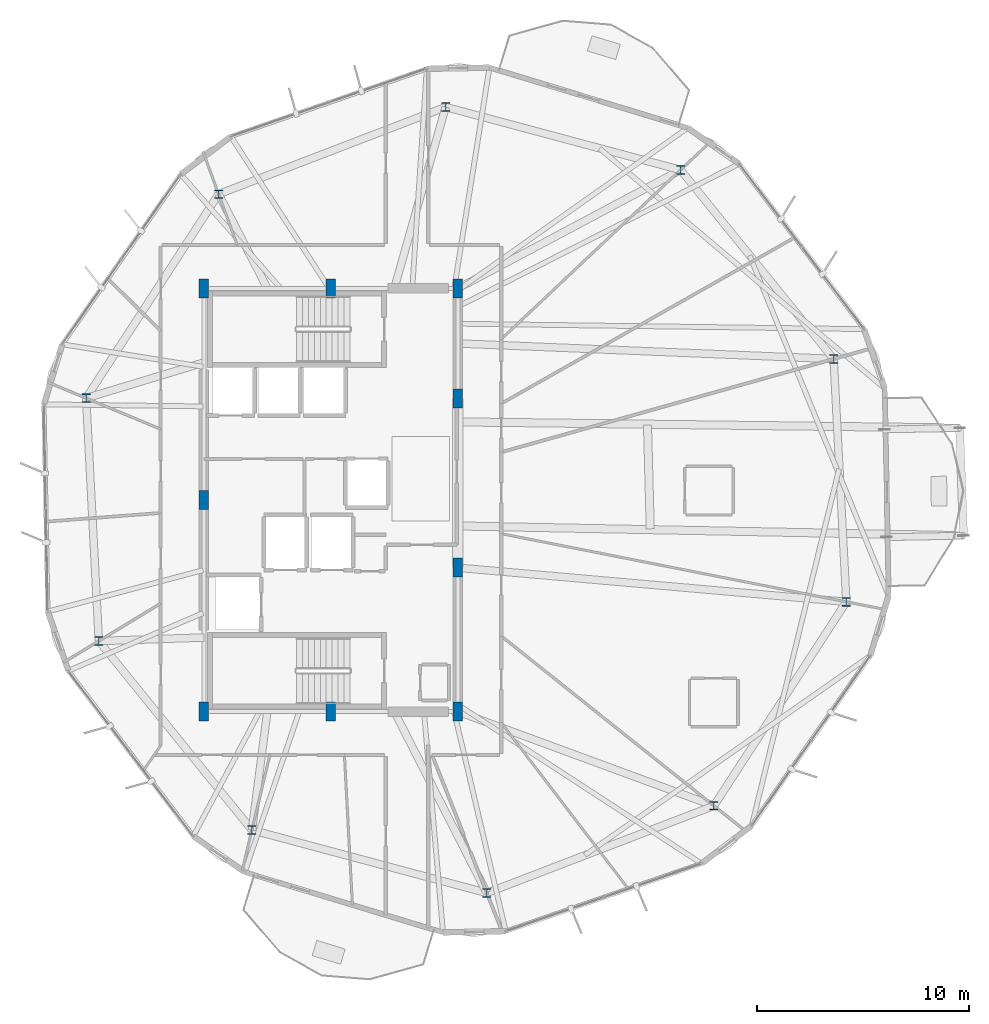
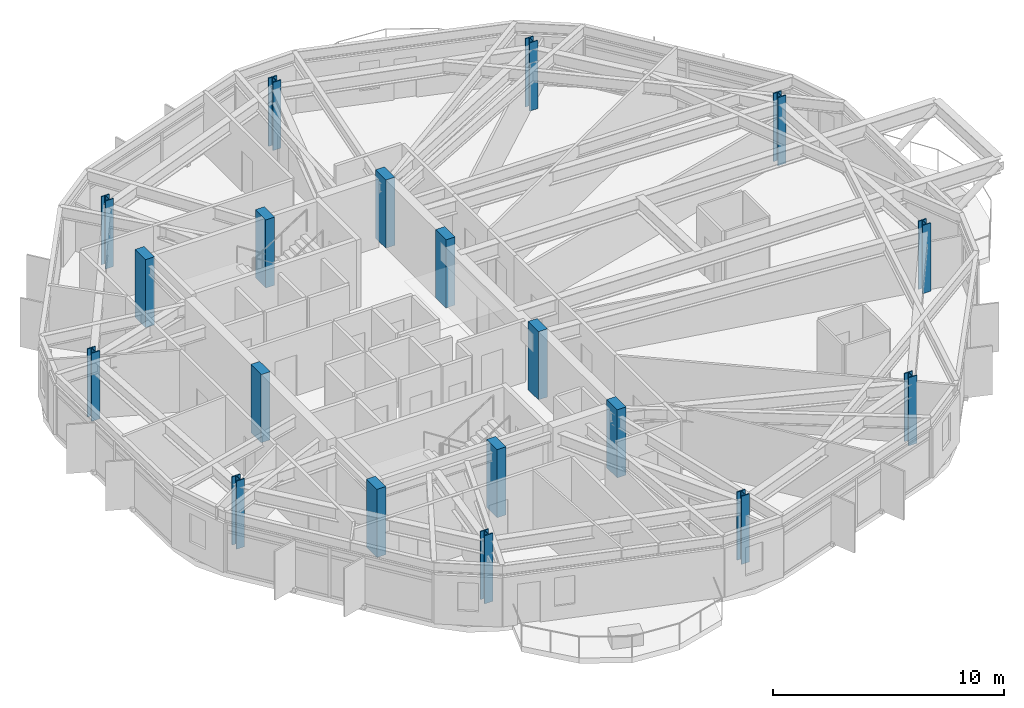
# One storey, part 1 of 34: 19 columns.
"""IFC4 building model written with IfcOpenShell, lengths in metres."""

from ifc_helpers import new_model, si_unit, direction, frame, origin, origin_2d, place, context, subcontext, project, spatial, rectangle, i_section, extrude, material, material_profile, profile_set, type_object, element, save


model = new_model("IFC4")

# Units and contexts
model_context = context("Model", 3, precision=1e-05, world=origin(), true_north=direction((0.0, 1.0)))
body_context = subcontext(model_context, "Body", "Model", "MODEL_VIEW")
ifc_project = project(units=[si_unit("LENGTHUNIT", "METRE"), si_unit("AREAUNIT", "SQUARE_METRE"), si_unit("VOLUMEUNIT", "CUBIC_METRE"), si_unit("PLANEANGLEUNIT", "RADIAN"), si_unit("MASSUNIT", "GRAM", prefix="KILO")], contexts=[model_context])

# Site, building, storey
site_placement = place(None, origin())
site = spatial("IfcSite", under=ifc_project, at=site_placement, CompositionType="ELEMENT")
building_placement = place(site_placement, origin())
building = spatial("IfcBuilding", under=site, at=building_placement, Name="Soratama Intermodal Tower", CompositionType="ELEMENT")
storey_placement = place(building_placement, frame((0.0, 0.0, 233.800048828125)))
storey = spatial("IfcBuildingStorey", under=building, at=storey_placement, Name="L59", CompositionType="ELEMENT", Elevation=233.800048828125)

# Columns
ifc_material_1 = material(Name="Structural steel ASTM A992 Grade 50", Category="steel")
ifc_material_profile_1 = material_profile(ifc_material_1, i_section(OverallWidth=0.406005859375, OverallDepth=0.416015625, WebThickness=0.02978515625, FlangeThickness=0.048095703125, FilletRadius=0.0380859375, at=origin_2d()), Name="W14X257")
ifc_profile_set_1 = profile_set([ifc_material_profile_1], Name="Structural steel ASTM A992 Grade 50")
column_type_1 = type_object("IfcColumnType", Name="COL-ZD-W14X257", PredefinedType="COLUMN", material=ifc_profile_set_1)
for number, where, z_axis, x_axis, name in (
    (1, (62.364501953125, 31.66552734375, 0.0), (0.0, 0.0, 1.0), (1.0, 0.0, 0.0), "L59 Tower Ring Column R01"),
    (2, (55.13037109375, 40.599365234375, 0.0), (0.0, 0.0, 1.0), (1.0, 0.0, 0.0), "L59 Tower Ring Column R02"),
    (3, (44.026611328125, 43.574462890625, 0.0), (0.0, 0.0, 1.0), (1.0, 0.0, 0.0), "L59 Tower Ring Column R03"),
    (4, (33.294677734375, 39.454833984375, 0.0), (0.0, 0.0, 1.0), (1.0, 0.0, 0.0), "L59 Tower Ring Column R04"),
    (5, (27.03369140625, 29.81396484375, 0.0), (0.0, 0.0, 1.0), (1.0, 0.0, 0.0), "L59 Tower Ring Column R05"),
    (6, (27.635498046875, 18.33447265625, 0.0), (0.0, 0.0, 1.0), (1.0, 0.0, 0.0), "L59 Tower Ring Column R06"),
    (7, (34.86962890625, 9.400634765625, 0.0), (0.0, 0.0, 1.0), (1.0, 0.0, 0.0), "L59 Tower Ring Column R07"),
    (8, (45.973388671875, 6.425537109375, 0.0), (0.0, 0.0, 1.0), (1.0, 0.0, 0.0), "L59 Tower Ring Column R08"),
    (9, (56.705322265625, 10.545166015625, 0.0), (0.0, 0.0, 1.0), (1.0, 0.0, 0.0), "L59 Tower Ring Column R09"),
    (10, (62.96630859375, 20.18603515625, 0.0), (0.0, 0.0, 1.0), (1.0, 0.0, 0.0), "L59 Tower Ring Column R10"),
):
    element("IfcColumn", number, at=place(storey_placement, frame(where, z_axis=z_axis, x_axis=x_axis)), inside=storey, type_object=column_type_1, Name=name, PredefinedType="COLUMN", context=body_context, shape_type="SweptSolid", body=[
        extrude(i_section(OverallWidth=0.406005859375, OverallDepth=0.416015625, WebThickness=0.02978515625, FlangeThickness=0.048095703125, FilletRadius=0.0380859375, at=origin_2d()), origin(), (0.0, 0.0, 1.0), 3.599853515625),
    ])
ifc_material_2 = material(Name="Concrete f'c 56 MPa", Category="concrete")
ifc_material_profile_2 = material_profile(ifc_material_2, rectangle(XDim=0.449951171875, YDim=0.89990234375, at=origin_2d()), Name="RC450X900")
ifc_profile_set_2 = profile_set([ifc_material_profile_2], Name="Concrete f'c 56 MPa")
column_type_2 = type_object("IfcColumnType", Name="PIL-CORE-450X900", PredefinedType="PILASTER", material=ifc_profile_set_2)
for number, where, z_axis, x_axis, name in (
    (11, (32.60009765625, 15.0, 0.0), (0.0, 0.0, 1.0), (1.0, 0.0, 0.0), "L59 Core Pilaster 1"),
    (12, (32.60009765625, 25.0, 0.0), (0.0, 0.0, 1.0), (1.0, 0.0, 0.0), "L59 Core Pilaster 2"),
    (13, (32.60009765625, 35.0, 0.0), (0.0, 0.0, 1.0), (1.0, 0.0, 0.0), "L59 Core Pilaster 3"),
    (14, (38.60009765625, 15.0, 0.0), (0.0, 0.0, 1.0), (1.0, 0.0, 0.0), "L59 Core Pilaster 4"),
    (15, (38.60009765625, 35.0, 0.0), (0.0, 0.0, 1.0), (1.0, 0.0, 0.0), "L59 Core Pilaster 5"),
    (16, (44.60009765625, 15.0, 0.0), (0.0, 0.0, 1.0), (1.0, 0.0, 0.0), "L59 Core Pilaster 6"),
    (17, (44.60009765625, 21.800048828125, 0.0), (0.0, 0.0, 1.0), (1.0, 0.0, 0.0), "L59 Core Pilaster 7"),
    (18, (44.60009765625, 29.800048828125, 0.0), (0.0, 0.0, 1.0), (1.0, 0.0, 0.0), "L59 Core Pilaster 8"),
    (19, (44.60009765625, 35.0, 0.0), (0.0, 0.0, 1.0), (1.0, 0.0, 0.0), "L59 Core Pilaster 9"),
):
    element("IfcColumn", number, at=place(storey_placement, frame(where, z_axis=z_axis, x_axis=x_axis)), inside=storey, type_object=column_type_2, Name=name, PredefinedType="PILASTER", context=body_context, shape_type="SweptSolid", body=[
        extrude(rectangle(XDim=0.449951171875, YDim=0.89990234375, at=origin_2d()), origin(), (0.0, 0.0, 1.0), 3.599853515625),
    ])

save(model, "model.ifc")
